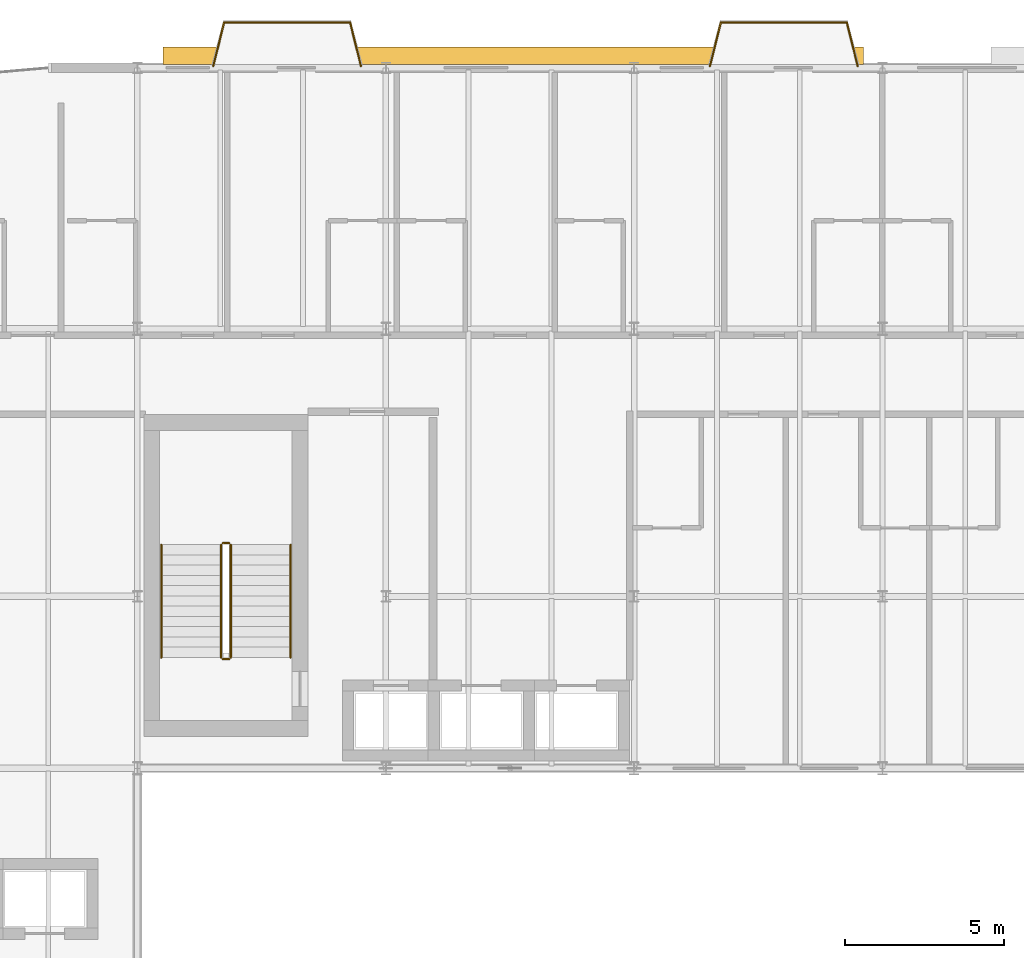
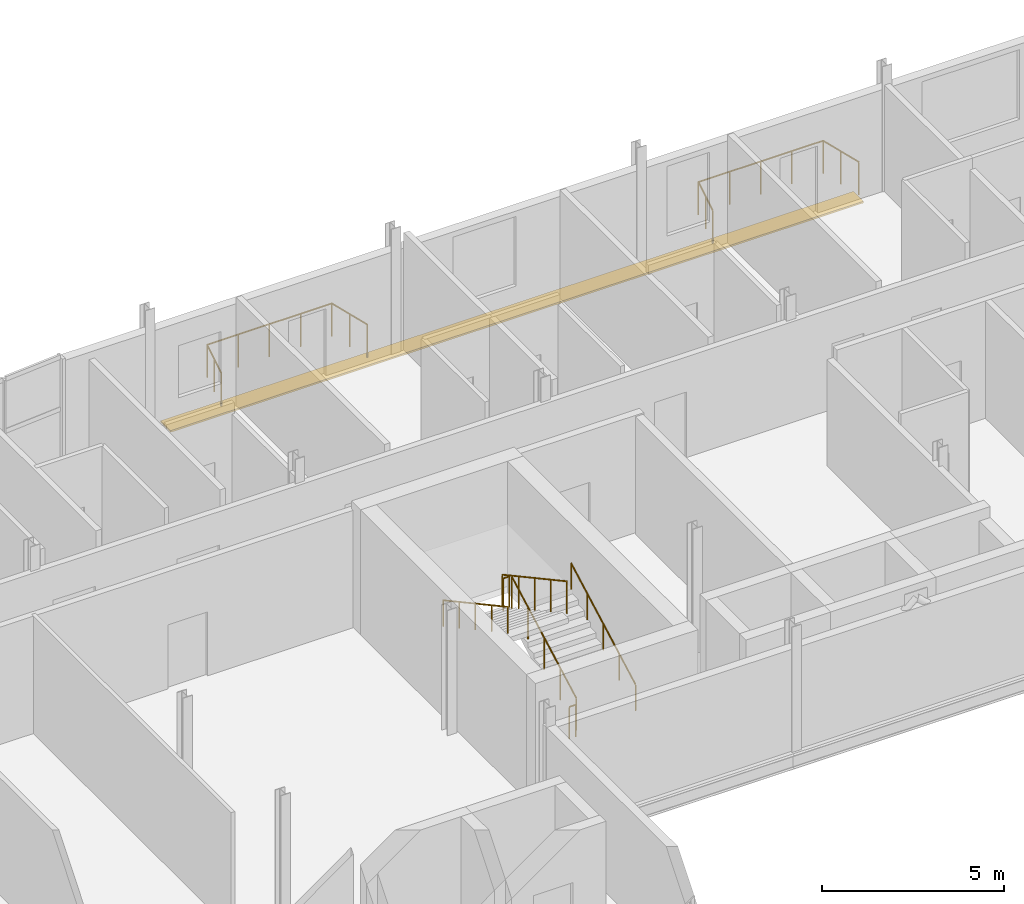
# One storey, part 20 of 22: 12 railings, 1 shading device.
"""IFC4 building model written with IfcOpenShell, lengths in metres."""

from ifc_helpers import new_model, si_unit, direction, frame, origin, origin_2d, place, context, subcontext, project, spatial, rectangle, circle, extrude, material, layer, layer_set, type_object, element, save


model = new_model("IFC4")

# Units and contexts
model_context = context("Model", 3, precision=1e-05, world=origin(), true_north=direction((0.0, 1.0)))
body_context = subcontext(model_context, "Body", "Model", "MODEL_VIEW")
ifc_project = project(units=[si_unit("LENGTHUNIT", "METRE"), si_unit("AREAUNIT", "SQUARE_METRE"), si_unit("VOLUMEUNIT", "CUBIC_METRE"), si_unit("PLANEANGLEUNIT", "RADIAN"), si_unit("MASSUNIT", "GRAM", prefix="KILO")], contexts=[model_context])

# Site, building, storey
site_placement = place(None, origin())
site = spatial("IfcSite", under=ifc_project, at=site_placement, CompositionType="ELEMENT")
building_placement = place(site_placement, origin())
building = spatial("IfcBuilding", under=site, at=building_placement, Name="Sefraquen Railside Congress Hotel", CompositionType="ELEMENT")
storey_placement = place(building_placement, frame((0.0, 0.0, 42.60009765625)))
storey = spatial("IfcBuildingStorey", under=building, at=storey_placement, Name="L10", CompositionType="ELEMENT", Elevation=42.60009765625)

# Railings
ifc_material_1 = material(Name="Patinated wrought architectural bronze", Category="metal")
railing_type_1 = type_object("IfcRailingType", Name="TRL-BAL-110", PredefinedType="BALUSTRADE", material=ifc_material_1)
railing_1_placement = place(storey_placement, frame((27.580078125, 118.050048828125, 0.0)))
element("IfcRailing", 1, at=railing_1_placement, inside=storey, type_object=railing_type_1, Name="Guest balcony Art Nouveau balustrade L10-01", PredefinedType="BALUSTRADE", context=body_context, shape_type="SweptSolid", body=[
    extrude(circle(Radius=0.02392578125, at=origin_2d()), frame((0.0, 0.0, 1.09619140625), z_axis=(0.240785102022, 0.970578453627, 0.0), x_axis=(-0.970578453627, 0.240785102022, 0.0)), (0.0, 0.0, 1.0), 1.411376953125),
    extrude(circle(Radius=0.02099609375, at=origin_2d()), origin(), (0.0, 0.0, 1.0), 1.072021484375),
    extrude(circle(Radius=0.02099609375, at=origin_2d()), frame((0.169921875, 0.68505859375, 0.0)), (0.0, 0.0, 1.0), 1.072021484375),
    extrude(circle(Radius=0.02099609375, at=origin_2d()), frame((0.33984375, 1.369873046875, 0.0)), (0.0, 0.0, 1.0), 1.072021484375),
])
railing_2_placement = place(storey_placement, frame((27.919921875, 119.419921875, 0.0)))
element("IfcRailing", 2, at=railing_2_placement, inside=storey, type_object=railing_type_1, Name="Guest balcony Art Nouveau balustrade L10-01", PredefinedType="BALUSTRADE", context=body_context, shape_type="SweptSolid", body=[
    extrude(circle(Radius=0.02392578125, at=origin_2d()), frame((0.0, 0.0, 1.09619140625), z_axis=(1.0, 0.0, 0.0), x_axis=(0.0, 1.0, 0.0)), (0.0, 0.0, 1.0), 3.9599609375),
    extrude(circle(Radius=0.02099609375, at=origin_2d()), origin(), (0.0, 0.0, 1.0), 1.072021484375),
    extrude(circle(Radius=0.02099609375, at=origin_2d()), frame((0.989990234375, 0.0, 0.0)), (0.0, 0.0, 1.0), 1.072021484375),
    extrude(circle(Radius=0.02099609375, at=origin_2d()), frame((1.97998046875, 0.0, 0.0)), (0.0, 0.0, 1.0), 1.072021484375),
    extrude(circle(Radius=0.02099609375, at=origin_2d()), frame((2.969970703125, 0.0, 0.0)), (0.0, 0.0, 1.0), 1.072021484375),
    extrude(circle(Radius=0.02099609375, at=origin_2d()), frame((3.9599609375, 0.0, 0.0)), (0.0, 0.0, 1.0), 1.072021484375),
])
railing_3_placement = place(storey_placement, frame((31.8798828125, 119.419921875, 0.0)))
element("IfcRailing", 3, at=railing_3_placement, inside=storey, type_object=railing_type_1, Name="Guest balcony Art Nouveau balustrade L10-01", PredefinedType="BALUSTRADE", context=body_context, shape_type="SweptSolid", body=[
    extrude(circle(Radius=0.02392578125, at=origin_2d()), frame((0.0, 0.0, 1.09619140625), z_axis=(0.240948040829, -0.970538016577, 0.0), x_axis=(0.970538016577, 0.240948040829, 0.0)), (0.0, 0.0, 1.0), 1.411376953125),
    extrude(circle(Radius=0.02099609375, at=origin_2d()), origin(), (0.0, 0.0, 1.0), 1.072021484375),
    extrude(circle(Radius=0.02099609375, at=origin_2d()), frame((0.169921875, -0.68505859375, 0.0)), (0.0, 0.0, 1.0), 1.072021484375),
    extrude(circle(Radius=0.02099609375, at=origin_2d()), frame((0.340087890625, -1.369873046875, 0.0)), (0.0, 0.0, 1.0), 1.072021484375),
])
railing_4_placement = place(storey_placement, frame((43.179931640625, 118.050048828125, 0.0)))
element("IfcRailing", 4, at=railing_4_placement, inside=storey, type_object=railing_type_1, Name="Guest balcony Art Nouveau balustrade L10-02", PredefinedType="BALUSTRADE", context=body_context, shape_type="SweptSolid", body=[
    extrude(circle(Radius=0.02392578125, at=origin_2d()), frame((0.0, 0.0, 1.09619140625), z_axis=(0.240948040829, 0.970538016577, 0.0), x_axis=(-0.970538016577, 0.240948040829, 0.0)), (0.0, 0.0, 1.0), 1.411376953125),
    extrude(circle(Radius=0.02099609375, at=origin_2d()), origin(), (0.0, 0.0, 1.0), 1.072021484375),
    extrude(circle(Radius=0.02099609375, at=origin_2d()), frame((0.169921875, 0.68505859375, 0.0)), (0.0, 0.0, 1.0), 1.072021484375),
    extrude(circle(Radius=0.02099609375, at=origin_2d()), frame((0.340087890625, 1.369873046875, 0.0)), (0.0, 0.0, 1.0), 1.072021484375),
])
railing_5_placement = place(storey_placement, frame((43.52001953125, 119.419921875, 0.0)))
element("IfcRailing", 5, at=railing_5_placement, inside=storey, type_object=railing_type_1, Name="Guest balcony Art Nouveau balustrade L10-02", PredefinedType="BALUSTRADE", context=body_context, shape_type="SweptSolid", body=[
    extrude(circle(Radius=0.02392578125, at=origin_2d()), frame((0.0, 0.0, 1.09619140625), z_axis=(1.0, 0.0, 0.0), x_axis=(0.0, 1.0, 0.0)), (0.0, 0.0, 1.0), 3.9599609375),
    extrude(circle(Radius=0.02099609375, at=origin_2d()), origin(), (0.0, 0.0, 1.0), 1.072021484375),
    extrude(circle(Radius=0.02099609375, at=origin_2d()), frame((0.989990234375, 0.0, 0.0)), (0.0, 0.0, 1.0), 1.072021484375),
    extrude(circle(Radius=0.02099609375, at=origin_2d()), frame((1.97998046875, 0.0, 0.0)), (0.0, 0.0, 1.0), 1.072021484375),
    extrude(circle(Radius=0.02099609375, at=origin_2d()), frame((2.969970703125, 0.0, 0.0)), (0.0, 0.0, 1.0), 1.072021484375),
    extrude(circle(Radius=0.02099609375, at=origin_2d()), frame((3.9599609375, 0.0, 0.0)), (0.0, 0.0, 1.0), 1.072021484375),
])
railing_6_placement = place(storey_placement, frame((47.47998046875, 119.419921875, 0.0)))
element("IfcRailing", 6, at=railing_6_placement, inside=storey, type_object=railing_type_1, Name="Guest balcony Art Nouveau balustrade L10-02", PredefinedType="BALUSTRADE", context=body_context, shape_type="SweptSolid", body=[
    extrude(circle(Radius=0.02392578125, at=origin_2d()), frame((0.0, 0.0, 1.09619140625), z_axis=(0.240948040829, -0.970538016577, 0.0), x_axis=(0.970538016577, 0.240948040829, 0.0)), (0.0, 0.0, 1.0), 1.411376953125),
    extrude(circle(Radius=0.02099609375, at=origin_2d()), origin(), (0.0, 0.0, 1.0), 1.072021484375),
    extrude(circle(Radius=0.02099609375, at=origin_2d()), frame((0.169921875, -0.68505859375, 0.0)), (0.0, 0.0, 1.0), 1.072021484375),
    extrude(circle(Radius=0.02099609375, at=origin_2d()), frame((0.340087890625, -1.369873046875, 0.0)), (0.0, 0.0, 1.0), 1.072021484375),
])
railing_7_placement = place(storey_placement, frame((28.1298828125, 99.47998046875, 0.1748046875)))
element("IfcRailing", 7, at=railing_7_placement, inside=storey, type_object=railing_type_1, Name="L10 ST-H02 stair guard 1", PredefinedType="BALUSTRADE", context=body_context, shape_type="SweptSolid", body=[
    extrude(circle(Radius=0.02392578125, at=origin_2d()), frame((0.0, 0.0, 1.076171875), z_axis=(0.0, 0.878618985891, 0.477523483854), x_axis=(-1.0, 0.0, 0.0)), (0.0, 0.0, 1.0), 4.03125),
    extrude(circle(Radius=0.02099609375, at=origin_2d()), origin(), (0.0, 0.0, 1.0), 1.052001953125),
    extrude(circle(Radius=0.02099609375, at=origin_2d()), frame((0.0, 0.885498046875, 0.481201171875)), (0.0, 0.0, 1.0), 1.052001953125),
    extrude(circle(Radius=0.02099609375, at=origin_2d()), frame((0.0, 1.77099609375, 0.96240234375)), (0.0, 0.0, 1.0), 1.052001953125),
    extrude(circle(Radius=0.02099609375, at=origin_2d()), frame((0.0, 2.656494140625, 1.44384765625)), (0.0, 0.0, 1.0), 1.052001953125),
    extrude(circle(Radius=0.02099609375, at=origin_2d()), frame((0.0, 3.5419921875, 1.925048828125)), (0.0, 0.0, 1.0), 1.052001953125),
])
railing_8_placement = place(storey_placement, frame((28.080078125, 103.072021484375, 2.099853515625)))
element("IfcRailing", 8, at=railing_8_placement, inside=storey, type_object=railing_type_1, Name="L10 ST-H02 stair guard 2", PredefinedType="BALUSTRADE", context=body_context, shape_type="SweptSolid", body=[
    extrude(circle(Radius=0.02392578125, at=origin_2d()), frame((0.0, 0.0, 1.076171875), z_axis=(-1.0, 0.0, 0.0), x_axis=(0.0, -1.0, 0.0)), (0.0, 0.0, 1.0), 0.2001953125),
    extrude(circle(Radius=0.02099609375, at=origin_2d()), origin(), (0.0, 0.0, 1.0), 1.052001953125),
    extrude(circle(Radius=0.02099609375, at=origin_2d()), frame((-0.2001953125, 0.0, 0.0)), (0.0, 0.0, 1.0), 1.052001953125),
])
railing_9_placement = place(storey_placement, frame((27.830078125, 103.02197265625, 2.27490234375)))
element("IfcRailing", 9, at=railing_9_placement, inside=storey, type_object=railing_type_1, Name="L10 ST-H02 stair guard 3", PredefinedType="BALUSTRADE", context=body_context, shape_type="SweptSolid", body=[
    extrude(circle(Radius=0.02392578125, at=origin_2d()), frame((0.0, 0.0, 1.076171875), z_axis=(0.0, -0.878618985891, 0.477523483854), x_axis=(1.0, 0.0, 0.0)), (0.0, 0.0, 1.0), 4.03125),
    extrude(circle(Radius=0.02099609375, at=origin_2d()), origin(), (0.0, 0.0, 1.0), 1.052001953125),
    extrude(circle(Radius=0.02099609375, at=origin_2d()), frame((0.0, -0.885498046875, 0.481201171875)), (0.0, 0.0, 1.0), 1.052001953125),
    extrude(circle(Radius=0.02099609375, at=origin_2d()), frame((0.0, -1.77099609375, 0.96240234375)), (0.0, 0.0, 1.0), 1.052001953125),
    extrude(circle(Radius=0.02099609375, at=origin_2d()), frame((0.0, -2.656494140625, 1.44384765625)), (0.0, 0.0, 1.0), 1.052001953125),
    extrude(circle(Radius=0.02099609375, at=origin_2d()), frame((0.0, -3.5419921875, 1.925048828125)), (0.0, 0.0, 1.0), 1.052001953125),
])
railing_10_placement = place(storey_placement, frame((28.080078125, 99.429931640625, 0.0)))
element("IfcRailing", 10, at=railing_10_placement, inside=storey, type_object=railing_type_1, Name="L10 ST-H02 stair guard 4", PredefinedType="BALUSTRADE", context=body_context, shape_type="SweptSolid", body=[
    extrude(circle(Radius=0.02392578125, at=origin_2d()), frame((0.0, 0.0, 1.076171875), z_axis=(-1.0, 0.0, 0.0), x_axis=(0.0, -1.0, 0.0)), (0.0, 0.0, 1.0), 0.2001953125),
    extrude(circle(Radius=0.02099609375, at=origin_2d()), origin(), (0.0, 0.0, 1.0), 1.052001953125),
    extrude(circle(Radius=0.02099609375, at=origin_2d()), frame((-0.2001953125, 0.0, 0.0)), (0.0, 0.0, 1.0), 1.052001953125),
])
railing_type_2 = type_object("IfcRailingType", Name="TRL-HR-090", PredefinedType="HANDRAIL", material=ifc_material_1)
railing_11_placement = place(storey_placement, frame((30.010009765625, 99.47998046875, 0.1748046875)))
element("IfcRailing", 11, at=railing_11_placement, inside=storey, type_object=railing_type_2, Name="L10 ST-H02 stair handrail 1", PredefinedType="HANDRAIL", context=body_context, shape_type="SweptSolid", body=[
    extrude(circle(Radius=0.02392578125, at=origin_2d()), frame((0.0, 0.0, 0.8759765625), z_axis=(0.0, 0.878618985891, 0.477523483854), x_axis=(-1.0, 0.0, 0.0)), (0.0, 0.0, 1.0), 4.03125),
    extrude(circle(Radius=0.02099609375, at=origin_2d()), origin(), (0.0, 0.0, 1.0), 0.851806640625),
    extrude(circle(Radius=0.02099609375, at=origin_2d()), frame((0.0, 0.885498046875, 0.481201171875)), (0.0, 0.0, 1.0), 0.851806640625),
    extrude(circle(Radius=0.02099609375, at=origin_2d()), frame((0.0, 1.77099609375, 0.96240234375)), (0.0, 0.0, 1.0), 0.851806640625),
    extrude(circle(Radius=0.02099609375, at=origin_2d()), frame((0.0, 2.656494140625, 1.44384765625)), (0.0, 0.0, 1.0), 0.851806640625),
    extrude(circle(Radius=0.02099609375, at=origin_2d()), frame((0.0, 3.5419921875, 1.925048828125)), (0.0, 0.0, 1.0), 0.851806640625),
])
railing_12_placement = place(storey_placement, frame((25.949951171875, 103.02197265625, 2.27490234375)))
element("IfcRailing", 12, at=railing_12_placement, inside=storey, type_object=railing_type_2, Name="L10 ST-H02 stair handrail 2", PredefinedType="HANDRAIL", context=body_context, shape_type="SweptSolid", body=[
    extrude(circle(Radius=0.02392578125, at=origin_2d()), frame((0.0, 0.0, 0.8759765625), z_axis=(0.0, -0.878618985891, 0.477523483854), x_axis=(1.0, 0.0, 0.0)), (0.0, 0.0, 1.0), 4.03125),
    extrude(circle(Radius=0.02099609375, at=origin_2d()), origin(), (0.0, 0.0, 1.0), 0.851806640625),
    extrude(circle(Radius=0.02099609375, at=origin_2d()), frame((0.0, -0.885498046875, 0.481201171875)), (0.0, 0.0, 1.0), 0.851806640625),
    extrude(circle(Radius=0.02099609375, at=origin_2d()), frame((0.0, -1.77099609375, 0.96240234375)), (0.0, 0.0, 1.0), 0.851806640625),
    extrude(circle(Radius=0.02099609375, at=origin_2d()), frame((0.0, -2.656494140625, 1.44384765625)), (0.0, 0.0, 1.0), 0.851806640625),
    extrude(circle(Radius=0.02099609375, at=origin_2d()), frame((0.0, -3.5419921875, 1.925048828125)), (0.0, 0.0, 1.0), 0.851806640625),
])

# Shading device
ifc_material_2 = material(Name="Patinated architectural bronze", Category="metal")
ifc_layer = layer(ifc_material_2, 0.06005859375)
ifc_layer_set = layer_set([ifc_layer], Name="Patinated architectural bronze")
shading_device_type = type_object("IfcShadingDeviceType", Name="TSH-BS-01", PredefinedType="USERDEFINED", material=ifc_layer_set)
shading_device_placement = place(storey_placement, frame((37.0, 118.3798828125, -0.380126953125), z_axis=(0.0, 0.0, 1.0), x_axis=(1.0, 0.0, 0.0)))
element("IfcShadingDevice", 13, at=shading_device_placement, inside=storey, type_object=shading_device_type, Name="Hotel North Boulevard window sunshade L10-1", ObjectType="BRISE SOLEIL", PredefinedType="USERDEFINED", context=body_context, shape_type="SweptSolid", body=[
    extrude(rectangle(XDim=22.0, YDim=0.550048828125, at=origin_2d()), origin(), (0.0, 0.0, 1.0), 0.06005859375),
])

save(model, "model.ifc")
